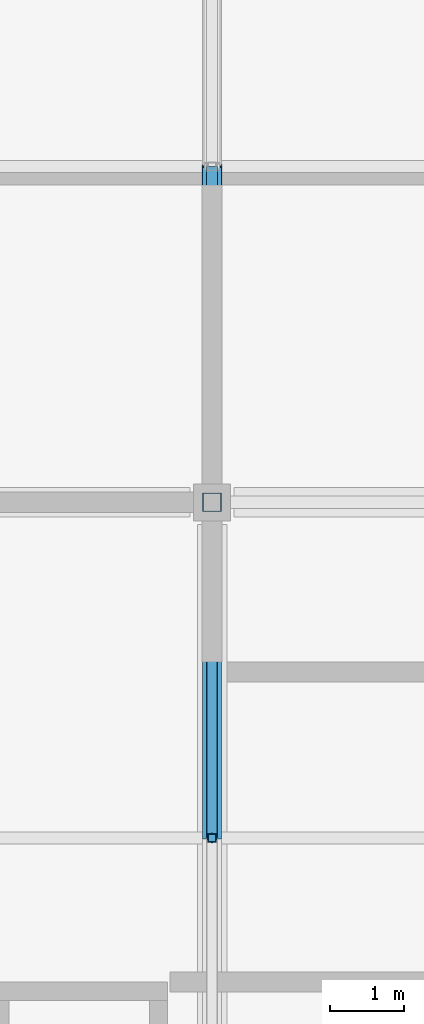
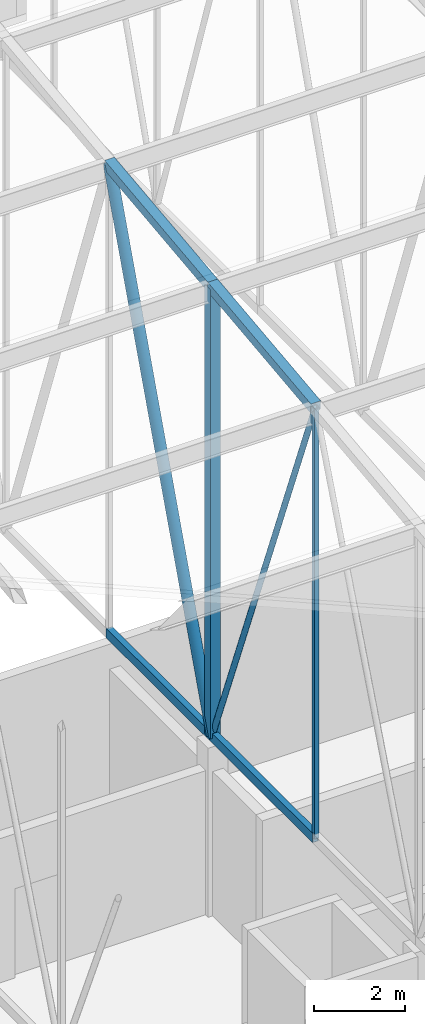
# One storey, part 76 of 500: 8 members.
"""IFC4 building model written with IfcOpenShell, lengths in metres."""

from ifc_helpers import new_model, si_unit, direction, frame, origin, origin_2d, place, context, subcontext, project, spatial, hollow_rectangle, hollow_circle, extrude, material, material_profile, profile_set, type_object, element, save


model = new_model("IFC4")

# Units and contexts
model_context = context("Model", 3, precision=1e-05, world=origin(), true_north=direction((0.0, 1.0)))
body_context = subcontext(model_context, "Body", "Model", "MODEL_VIEW")
ifc_project = project(units=[si_unit("LENGTHUNIT", "METRE"), si_unit("AREAUNIT", "SQUARE_METRE"), si_unit("VOLUMEUNIT", "CUBIC_METRE"), si_unit("PLANEANGLEUNIT", "RADIAN"), si_unit("MASSUNIT", "GRAM", prefix="KILO")], contexts=[model_context])

# Site, building, storey
site_placement = place(None, origin())
site = spatial("IfcSite", under=ifc_project, at=site_placement, CompositionType="ELEMENT")
building_placement = place(site_placement, origin())
building = spatial("IfcBuilding", under=site, at=building_placement, Name="Shirokan Park Arena", CompositionType="ELEMENT")
storey_placement = place(building_placement, frame((0.0, 0.0, 29.1201171875)))
storey = spatial("IfcBuildingStorey", under=building, at=storey_placement, Name="L06", CompositionType="ELEMENT", Elevation=29.1201171875)

# Members
ifc_material = material(Name="Steel ASTM A500 Grade C", Category="steel")
ifc_material_profile_1 = material_profile(ifc_material, hollow_rectangle(XDim=0.152099609375, YDim=0.25390625, WallThickness=0.009521484375, at=origin_2d()), Name="HSS254X152.4X9.5")
ifc_profile_set_1 = profile_set([ifc_material_profile_1], Name="Steel ASTM A500 Grade C")
member_type_1 = type_object("IfcMemberType", Name="Bottom chord HSS254X152.4X9.5", PredefinedType="CHORD", material=ifc_profile_set_1)
member_1_placement = place(storey_placement, frame((27.300048828125, 31.85009765625, 4.677001953125), z_axis=(0.0, 1.0, 0.0), x_axis=(-1.0, 0.0, 0.0)))
element("IfcMember", 1, at=member_1_placement, inside=storey, type_object=member_type_1, Name="Truss T04 bottom chord 10", PredefinedType="CHORD", context=body_context, shape_type="SweptSolid", body=[
    extrude(hollow_rectangle(XDim=0.152099609375, YDim=0.25390625, WallThickness=0.009521484375, at=origin_2d()), origin(), (0.0, 0.0, 1.0), 4.5498046875),
])
member_2_placement = place(storey_placement, frame((27.300048828125, 36.39990234375, 4.677001953125), z_axis=(0.0, 1.0, 0.0), x_axis=(-1.0, 0.0, 0.0)))
element("IfcMember", 2, at=member_2_placement, inside=storey, type_object=member_type_1, Name="Truss T04 bottom chord 11", PredefinedType="CHORD", context=body_context, shape_type="SweptSolid", body=[
    extrude(hollow_rectangle(XDim=0.152099609375, YDim=0.25390625, WallThickness=0.009521484375, at=origin_2d()), origin(), (0.0, 0.0, 1.0), 4.550048828125),
])
ifc_material_profile_2 = material_profile(ifc_material, hollow_rectangle(XDim=0.25390625, YDim=0.25390625, WallThickness=0.009521484375, at=origin_2d()), Name="HSS254X254X9.5")
ifc_profile_set_2 = profile_set([ifc_material_profile_2], Name="Steel ASTM A500 Grade C")
member_type_2 = type_object("IfcMemberType", Name="Top chord HSS254X254X9.5", PredefinedType="CHORD", material=ifc_profile_set_2)
member_3_placement = place(storey_placement, frame((27.300048828125, 31.85009765625, 16.262939453125), z_axis=(0.0, 0.993531641592, 0.11355561261), x_axis=(-1.0, 0.0, 0.0)))
element("IfcMember", 3, at=member_3_placement, inside=storey, type_object=member_type_2, Name="Truss T04 top chord 10", PredefinedType="CHORD", context=body_context, shape_type="SweptSolid", body=[
    extrude(hollow_rectangle(XDim=0.25390625, YDim=0.25390625, WallThickness=0.009521484375, at=origin_2d()), origin(), (0.0, 0.0, 1.0), 4.579345703125),
])
member_4_placement = place(storey_placement, frame((27.300048828125, 36.39990234375, 16.782958984375), z_axis=(0.0, 0.993532328996, 0.113549598152), x_axis=(-1.0, 0.0, 0.0)))
element("IfcMember", 4, at=member_4_placement, inside=storey, type_object=member_type_2, Name="Truss T04 top chord 11", PredefinedType="CHORD", context=body_context, shape_type="SweptSolid", body=[
    extrude(hollow_rectangle(XDim=0.25390625, YDim=0.25390625, WallThickness=0.009521484375, at=origin_2d()), origin(), (0.0, 0.0, 1.0), 4.57958984375),
])
ifc_material_profile_3 = material_profile(ifc_material, hollow_circle(Radius=0.070556640625, WallThickness=0.006591796875, at=origin_2d()), Name="HSS141.3X6.6")
ifc_profile_set_3 = profile_set([ifc_material_profile_3], Name="Steel ASTM A500 Grade C")
member_type_3 = type_object("IfcMemberType", Name="Truss diagonal HSS141.3X6.6", PredefinedType="BRACE", material=ifc_profile_set_3)
member_5_placement = place(storey_placement, frame((27.300048828125, 31.85009765625, 16.262939453125), z_axis=(0.0, 0.365526146051, -0.930801072493), x_axis=(-1.0, 0.0, 0.0)))
element("IfcMember", 5, at=member_5_placement, inside=storey, type_object=member_type_3, Name="Truss T04 diagonal 10", PredefinedType="BRACE", context=body_context, shape_type="SweptSolid", body=[
    extrude(hollow_circle(Radius=0.070556640625, WallThickness=0.006591796875, at=origin_2d()), origin(), (0.0, 0.0, 1.0), 12.447265625),
])
ifc_material_profile_4 = material_profile(ifc_material, hollow_circle(Radius=0.136474609375, WallThickness=0.009521484375, at=origin_2d()), Name="HSS273.1X9.5")
ifc_profile_set_4 = profile_set([ifc_material_profile_4], Name="Steel ASTM A500 Grade C")
member_type_4 = type_object("IfcMemberType", Name="Truss diagonal HSS273.1X9.5", PredefinedType="BRACE", material=ifc_profile_set_4)
member_6_placement = place(storey_placement, frame((27.300048828125, 36.39990234375, 4.677001953125), z_axis=(0.0, 0.339029292845, 0.940775817394), x_axis=(-1.0, 0.0, 0.0)))
element("IfcMember", 6, at=member_6_placement, inside=storey, type_object=member_type_4, Name="Truss T04 diagonal 11", PredefinedType="BRACE", context=body_context, shape_type="SweptSolid", body=[
    extrude(hollow_circle(Radius=0.136474609375, WallThickness=0.009521484375, at=origin_2d()), origin(), (0.0, 0.0, 1.0), 13.4208984375),
])
ifc_material_profile_5 = material_profile(ifc_material, hollow_rectangle(XDim=0.114013671875, YDim=0.114013671875, WallThickness=0.00634765625, at=origin_2d()), Name="HSS114.3X114.3X6.4")
ifc_profile_set_5 = profile_set([ifc_material_profile_5], Name="Steel ASTM A500 Grade C")
member_type_5 = type_object("IfcMemberType", Name="Truss post HSS114.3X114.3X6.4", PredefinedType="POST", material=ifc_profile_set_5)
member_7_placement = place(storey_placement, frame((27.300048828125, 31.85009765625, 4.677001953125), z_axis=(0.0, 0.0, 1.0), x_axis=(1.0, 0.0, 0.0)))
element("IfcMember", 7, at=member_7_placement, inside=storey, type_object=member_type_5, Name="Truss T04 post 10", PredefinedType="POST", context=body_context, shape_type="SweptSolid", body=[
    extrude(hollow_rectangle(XDim=0.114013671875, YDim=0.114013671875, WallThickness=0.00634765625, at=origin_2d()), origin(), (0.0, 0.0, 1.0), 11.5859375),
])
ifc_material_profile_6 = material_profile(ifc_material, hollow_rectangle(XDim=0.25390625, YDim=0.25390625, WallThickness=0.009521484375, at=origin_2d()), Name="HSS254X254X9.5")
ifc_profile_set_6 = profile_set([ifc_material_profile_6], Name="Steel ASTM A500 Grade C")
member_type_6 = type_object("IfcMemberType", Name="Truss post HSS254X254X9.5", PredefinedType="POST", material=ifc_profile_set_6)
member_8_placement = place(storey_placement, frame((27.300048828125, 36.39990234375, 4.677001953125), z_axis=(0.0, 0.0, 1.0), x_axis=(1.0, 0.0, 0.0)))
element("IfcMember", 8, at=member_8_placement, inside=storey, type_object=member_type_6, Name="Truss T04 post 11", PredefinedType="POST", context=body_context, shape_type="SweptSolid", body=[
    extrude(hollow_rectangle(XDim=0.25390625, YDim=0.25390625, WallThickness=0.009521484375, at=origin_2d()), origin(), (0.0, 0.0, 1.0), 12.10595703125),
])

save(model, "model.ifc")
